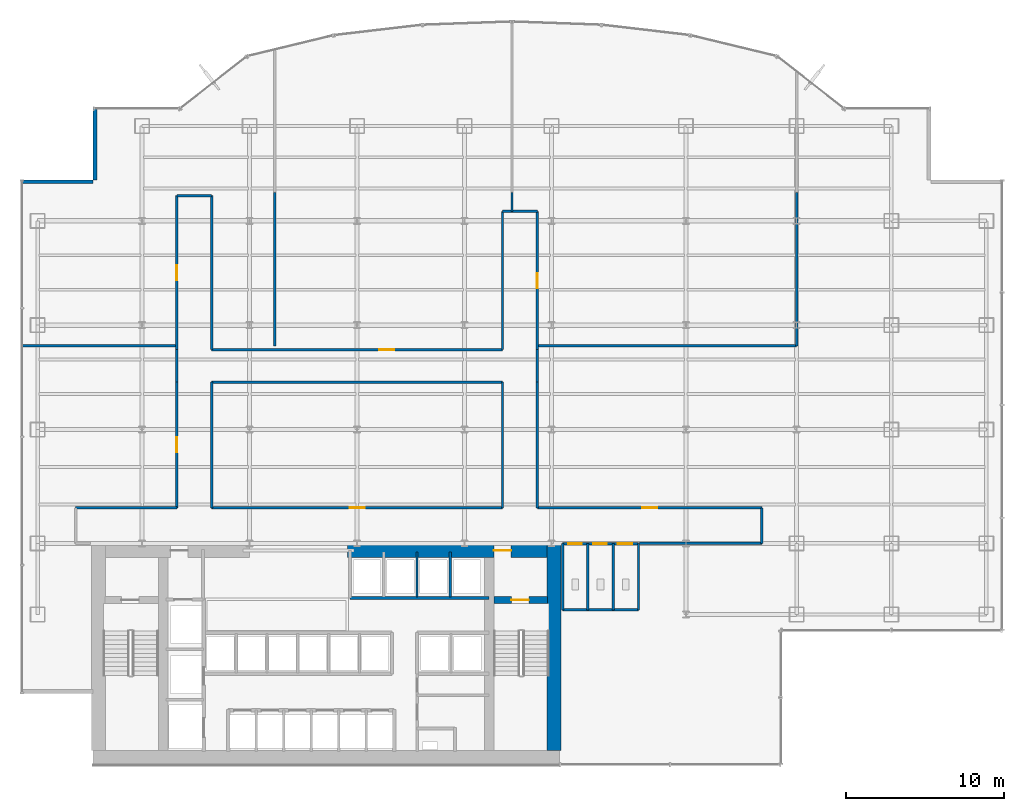
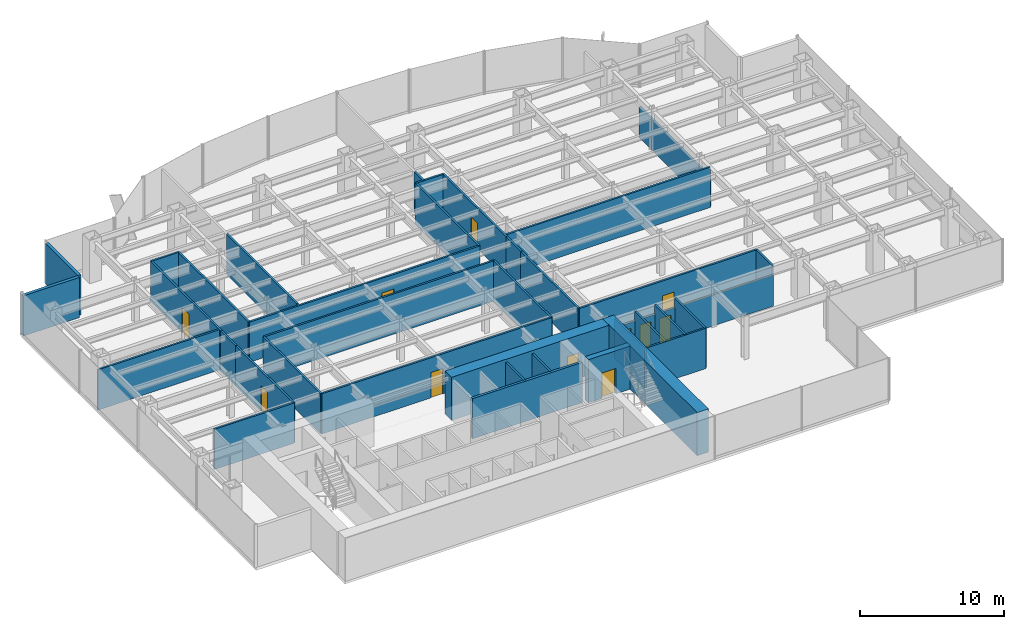
# One storey, part 19 of 23: 38 walls, 11 doors, 11 openings.
"""IFC4 building model written with IfcOpenShell, lengths in metres."""

from ifc_helpers import new_model, si_unit, derived_unit, direction, frame, frame_2d, origin, place, context, subcontext, project, spatial, rectangle, extrude, source, transform, mapped, material, layer, layer_set, type_object, element, fill, save


model = new_model("IFC4")

# Units and contexts
model_context = context("Model", 3, precision=1e-05, world=origin(), true_north=direction((0.0, 1.0)))
body_context = subcontext(model_context, "Body", "Model", "MODEL_VIEW")
ifc_project = project(units=[si_unit("LENGTHUNIT", "METRE"), si_unit("AREAUNIT", "SQUARE_METRE"), si_unit("VOLUMEUNIT", "CUBIC_METRE"), si_unit("PLANEANGLEUNIT", "RADIAN"), si_unit("MASSUNIT", "GRAM", prefix="KILO"), derived_unit("THERMALTRANSMITTANCEUNIT", [(si_unit("POWERUNIT", "WATT"), 1), (si_unit("LENGTHUNIT", "METRE"), -2), (si_unit("THERMODYNAMICTEMPERATUREUNIT", "KELVIN"), -1)])], contexts=[model_context])

# Site, building, storey
site_placement = place(None, origin())
site = spatial("IfcSite", under=ifc_project, at=site_placement, CompositionType="ELEMENT")
building_placement = place(site_placement, origin())
building = spatial("IfcBuilding", under=site, at=building_placement, Name="Skarnbrae Concourse Arena and Tower", CompositionType="ELEMENT")
storey_placement = place(building_placement, frame((0.0, 0.0, 43.449951171875)))
storey = spatial("IfcBuildingStorey", under=building, at=storey_placement, Name="L09", CompositionType="ELEMENT", Elevation=43.449951171875)

# Wall
ifc_material_1 = material(Name="Concrete 70 MPa (C70/85)", Category="concrete")
ifc_layer_1 = layer(ifc_material_1, 0.89990234375)
ifc_layer_set_1 = layer_set([ifc_layer_1], Name="Concrete 70 MPa (C70/85)")
wall_type_1 = type_object("IfcWallType", Name="WALL-CORE-900-C70", PredefinedType="SHEAR", material=ifc_layer_set_1)
shared_shape_1 = source(origin(), body_context, "Body", "SweptSolid", [
    extrude(rectangle(XDim=13.10009765625, YDim=0.89990234375, at=frame_2d((6.550048828125, 0.0))), origin(), (0.0, 0.0, 1.0), 3.650146484375),
])
wall_1_placement = place(storey_placement, frame((33.64990234375, 0.89990234375, 0.0), z_axis=(0.0, 0.0, 1.0), x_axis=(0.0, 1.0, 0.0)))
element("IfcWall", 1, at=wall_1_placement, inside=storey, type_object=wall_type_1, Name="L09 Rear core shear wall CW-E", PredefinedType="SHEAR", context=body_context, shape_type="MappedRepresentation", body=[
    mapped(shared_shape_1, transform((0.0, 0.0, 0.0))),
])

# Wall, opening, door
shared_shape_2 = source(origin(), body_context, "Body", "SweptSolid", [
    extrude(rectangle(XDim=12.599853515625, YDim=0.89990234375, at=frame_2d((6.2998046875, 0.0))), origin(), (0.0, 0.0, 1.0), 3.650146484375),
])
wall_2_placement = place(storey_placement, frame((20.60009765625, 13.550048828125, 0.0), z_axis=(0.0, 0.0, 1.0), x_axis=(1.0, 0.0, 0.0)))
wall_2 = element("IfcWall", 2, at=wall_2_placement, inside=storey, type_object=wall_type_1, Name="L09 Rear core shear wall CW-NE", PredefinedType="SHEAR", context=body_context, shape_type="MappedRepresentation", body=[
    mapped(shared_shape_2, transform((0.0, 0.0, 0.0))),
])
opening_1_placement = place(wall_2_placement, frame((9.25, 0.0, 0.0)))
opening_1 = element("IfcOpeningElement", 3, at=opening_1_placement, cuts=wall_2, Name="Opening DT-03", PredefinedType="OPENING", context=body_context, shape_type="SweptSolid", body=[
    extrude(rectangle(XDim=1.10009765625, YDim=2.14990234375, at=frame_2d((0.550048828125, 1.074951171875))), frame((0.0, 0.4599609375, 0.0), z_axis=(0.0, -1.0, 0.0), x_axis=(1.0, 0.0, 0.0)), (0.0, 0.0, 1.0), 0.919921875),
])
ifc_material_2 = material(Name="Steel CSA G40.21 350W", Category="steel")
door_type_1 = type_object("IfcDoorType", Name="DOOR-FIRE-1100-90M", OperationType="NOTDEFINED", PredefinedType="DOOR", material=ifc_material_2)
shared_shape_3 = source(origin(), body_context, "Body", "SweptSolid", [
    extrude(rectangle(XDim=1.10009765625, YDim=2.14990234375, at=frame_2d((0.550048828125, 1.074951171875))), frame((0.0, 0.02490234375, 0.0), z_axis=(0.0, -1.0, 0.0), x_axis=(1.0, 0.0, 0.0)), (0.0, 0.0, 1.0), 0.050048828125),
])
door_1_placement = place(opening_1_placement, origin())
door_1 = element("IfcDoor", 4, at=door_1_placement, inside=storey, type_object=door_type_1, Name="D-0416 Stair ST-2 Vestibule Door", OperationType="SINGLE_SWING_LEFT", OverallHeight=2.14990234375, OverallWidth=1.10009765625, PredefinedType="DOOR", context=body_context, shape_type="MappedRepresentation", body=[
    mapped(shared_shape_3, transform((0.0, 0.0, 0.0))),
])
fill(opening_1, door_1)

ifc_material_3 = material(Name="Concrete 50 MPa (C50/60)", Category="concrete")
ifc_layer_2 = layer(ifc_material_3, 0.449951171875)
ifc_layer_set_2 = layer_set([ifc_layer_2], Name="Concrete 50 MPa (C50/60)")
wall_type_2 = type_object("IfcWallType", Name="WALL-CORE-450-C50", PredefinedType="SHEAR", material=ifc_layer_set_2)
shared_shape_4 = source(origin(), body_context, "Body", "SweptSolid", [
    extrude(rectangle(XDim=3.389892578125, YDim=0.449951171875, at=frame_2d((1.69482421875, 0.0))), origin(), (0.0, 0.0, 1.0), 3.650146484375),
])
wall_3_placement = place(storey_placement, frame((29.860107421875, 10.419921875, 0.0), z_axis=(0.0, 0.0, 1.0), x_axis=(1.0, 0.0, 0.0)))
wall_3 = element("IfcWall", 5, at=wall_3_placement, inside=storey, type_object=wall_type_2, Name="L09 Rear core shear wall CW-ST2-N", PredefinedType="SHEAR", context=body_context, shape_type="MappedRepresentation", body=[
    mapped(shared_shape_4, transform((0.0, 0.0, 0.0))),
])
opening_2_placement = place(wall_3_placement, frame((1.10009765625, 0.0, 0.0)))
opening_2 = element("IfcOpeningElement", 6, at=opening_2_placement, cuts=wall_3, Name="Opening DT-03", PredefinedType="OPENING", context=body_context, shape_type="SweptSolid", body=[
    extrude(rectangle(XDim=1.10009765625, YDim=2.14990234375, at=frame_2d((0.550048828125, 1.074951171875))), frame((0.0, 0.23486328125, 0.0), z_axis=(0.0, -1.0, 0.0), x_axis=(1.0, 0.0, 0.0)), (0.0, 0.0, 1.0), 0.469970703125),
])
door_2_placement = place(opening_2_placement, frame((1.10009765625, 0.0, 0.0), z_axis=(0.0, 0.0, 1.0), x_axis=(-1.0, 0.0, 0.0)))
door_2 = element("IfcDoor", 7, at=door_2_placement, inside=storey, type_object=door_type_1, Name="D-0414 Stair ST-2 Door", OperationType="SINGLE_SWING_RIGHT", OverallHeight=2.14990234375, OverallWidth=1.10009765625, PredefinedType="DOOR", context=body_context, shape_type="MappedRepresentation", body=[
    mapped(shared_shape_3, transform((0.0, 0.0, 0.0))),
])
fill(opening_2, door_2)

# Walls
ifc_material_4 = material(Name="Precast concrete 40 MPa (C40/50)", Category="concrete")
ifc_layer_3 = layer(ifc_material_4, 0.25)
ifc_layer_set_3 = layer_set([ifc_layer_3], Name="Precast concrete 40 MPa (C40/50)")
wall_type_3 = type_object("IfcWallType", Name="WALL-EXT-SPANDREL-250", PredefinedType="STANDARD", material=ifc_layer_set_3)
shared_shape_5 = source(origin(), body_context, "Body", "SweptSolid", [
    extrude(rectangle(XDim=4.5, YDim=0.25, at=frame_2d((2.25, 0.0))), origin(), (0.0, 0.0, 1.0), 3.400146484375),
])
for number, where, z_axis, x_axis, name in (
    (8, (4.625, 41.5, 0.0), (0.0, 0.0, 1.0), (0.0, -1.0, 0.0), "L09 Notched corner insulated return wall 17"),
    (9, (4.5, 36.875, 0.0), (0.0, 0.0, 1.0), (-1.0, 0.0, 0.0), "L09 Notched corner insulated return wall 18"),
):
    element("IfcWall", number, at=place(storey_placement, frame(where, z_axis=z_axis, x_axis=x_axis)), inside=storey, type_object=wall_type_3, Name=name, PredefinedType="STANDARD", context=body_context, shape_type="MappedRepresentation", body=[
        mapped(shared_shape_5, transform((0.0, 0.0, 0.0))),
    ])

# Wall, openings, doors
ifc_material_5 = material(Name="Gypsum board on cold-formed steel studs", Category="steel")
ifc_layer_4 = layer(ifc_material_5, 0.14990234375)
ifc_layer_set_4 = layer_set([ifc_layer_4], Name="Gypsum board on cold-formed steel studs")
wall_type_4 = type_object("IfcWallType", Name="WALL-PART-150", PredefinedType="PARTITIONING", material=ifc_layer_set_4)
shared_shape_6 = source(origin(), body_context, "Body", "SweptSolid", [
    extrude(rectangle(XDim=4.800048828125, YDim=0.14990234375, at=frame_2d((2.39990234375, 0.0))), origin(), (0.0, 0.0, 1.0), 2.625),
])
wall_4_placement = place(storey_placement, frame((34.199951171875, 13.97998046875, 0.0), z_axis=(0.0, 0.0, 1.0), x_axis=(1.0, 0.0, 0.0)))
wall_4 = element("IfcWall", 10, at=wall_4_placement, inside=storey, type_object=wall_type_4, Name="L09 Interior partition wall W-L09-WC-N", PredefinedType="PARTITIONING", context=body_context, shape_type="MappedRepresentation", body=[
    mapped(shared_shape_6, transform((0.0, 0.0, 0.0))),
])
opening_3_placement = place(wall_4_placement, frame((0.35009765625, 0.0, 0.0)))
opening_3 = element("IfcOpeningElement", 11, at=opening_3_placement, cuts=wall_4, Name="Opening DT-06", PredefinedType="OPENING", context=body_context, shape_type="SweptSolid", body=[
    extrude(rectangle(XDim=0.85009765625, YDim=2.10009765625, at=frame_2d((0.425048828125, 1.050048828125))), frame((0.0, 0.0849609375, 0.0), z_axis=(0.0, -1.0, 0.0), x_axis=(1.0, 0.0, 0.0)), (0.0, 0.0, 1.0), 0.169921875),
])
opening_4_placement = place(wall_4_placement, frame((1.949951171875, 0.0, 0.0)))
opening_4 = element("IfcOpeningElement", 12, at=opening_4_placement, cuts=wall_4, Name="Opening DT-06", PredefinedType="OPENING", context=body_context, shape_type="SweptSolid", body=[
    extrude(rectangle(XDim=0.85009765625, YDim=2.10009765625, at=frame_2d((0.425048828125, 1.050048828125))), frame((0.0, 0.0849609375, 0.0), z_axis=(0.0, -1.0, 0.0), x_axis=(1.0, 0.0, 0.0)), (0.0, 0.0, 1.0), 0.169921875),
])
opening_5_placement = place(wall_4_placement, frame((3.5, 0.0, 0.0)))
opening_5 = element("IfcOpeningElement", 13, at=opening_5_placement, cuts=wall_4, Name="Opening DT-05", PredefinedType="OPENING", context=body_context, shape_type="SweptSolid", body=[
    extrude(rectangle(XDim=0.89990234375, YDim=2.10009765625, at=frame_2d((0.449951171875, 1.050048828125))), frame((0.0, 0.0849609375, 0.0), z_axis=(0.0, -1.0, 0.0), x_axis=(1.0, 0.0, 0.0)), (0.0, 0.0, 1.0), 0.169921875),
])
ifc_material_6 = material(Name="Architectural oak veneer timber leaf", Category="wood")
door_type_2 = type_object("IfcDoorType", Name="DOOR-INT-850", OperationType="NOTDEFINED", PredefinedType="DOOR", material=ifc_material_6)
shared_shape_7 = source(origin(), body_context, "Body", "SweptSolid", [
    extrude(rectangle(XDim=0.85009765625, YDim=2.10009765625, at=frame_2d((0.425048828125, 1.050048828125))), frame((0.0, 0.02490234375, 0.0), z_axis=(0.0, -1.0, 0.0), x_axis=(1.0, 0.0, 0.0)), (0.0, 0.0, 1.0), 0.050048828125),
])
door_3_placement = place(opening_3_placement, frame((0.85009765625, 0.0, 0.0), z_axis=(0.0, 0.0, 1.0), x_axis=(-1.0, 0.0, 0.0)))
door_3 = element("IfcDoor", 14, at=door_3_placement, inside=storey, type_object=door_type_2, Name="D-0428 Male Washroom Door", OperationType="SINGLE_SWING_LEFT", OverallHeight=2.10009765625, OverallWidth=0.85009765625, PredefinedType="DOOR", context=body_context, shape_type="MappedRepresentation", body=[
    mapped(shared_shape_7, transform((0.0, 0.0, 0.0))),
])
fill(opening_3, door_3)
door_4_placement = place(opening_4_placement, frame((0.85009765625, 0.0, 0.0), z_axis=(0.0, 0.0, 1.0), x_axis=(-1.0, 0.0, 0.0)))
door_4 = element("IfcDoor", 15, at=door_4_placement, inside=storey, type_object=door_type_2, Name="D-0429 Female Washroom Door", OperationType="SINGLE_SWING_RIGHT", OverallHeight=2.10009765625, OverallWidth=0.85009765625, PredefinedType="DOOR", context=body_context, shape_type="MappedRepresentation", body=[
    mapped(shared_shape_7, transform((0.0, 0.0, 0.0))),
])
fill(opening_4, door_4)
door_type_3 = type_object("IfcDoorType", Name="DOOR-INT-900", OperationType="NOTDEFINED", PredefinedType="DOOR", material=ifc_material_6)
shared_shape_8 = source(origin(), body_context, "Body", "SweptSolid", [
    extrude(rectangle(XDim=0.89990234375, YDim=2.10009765625, at=frame_2d((0.449951171875, 1.050048828125))), frame((0.0, 0.02490234375, 0.0), z_axis=(0.0, -1.0, 0.0), x_axis=(1.0, 0.0, 0.0)), (0.0, 0.0, 1.0), 0.050048828125),
])
door_5_placement = place(opening_5_placement, frame((0.89990234375, 0.0, 0.0), z_axis=(0.0, 0.0, 1.0), x_axis=(-1.0, 0.0, 0.0)))
door_5 = element("IfcDoor", 16, at=door_5_placement, inside=storey, type_object=door_type_3, Name="D-0430 Accessible WC Door", OperationType="SINGLE_SWING_LEFT", OverallHeight=2.10009765625, OverallWidth=0.89990234375, PredefinedType="DOOR", context=body_context, shape_type="MappedRepresentation", body=[
    mapped(shared_shape_8, transform((0.0, 0.0, 0.0))),
])
fill(opening_5, door_5)

# Walls
ifc_layer_5 = layer(ifc_material_5, 0.14990234375)
ifc_layer_set_5 = layer_set([ifc_layer_5], Name="Gypsum board on cold-formed steel studs")
wall_type_5 = type_object("IfcWallType", Name="WALL-PART-150-1HR", PredefinedType="PARTITIONING", material=ifc_layer_set_5)
shared_shape_9 = source(origin(), body_context, "Body", "SweptSolid", [
    extrude(rectangle(XDim=7.75, YDim=0.14990234375, at=frame_2d((3.875, 0.0))), origin(), (0.0, 0.0, 1.0), 2.625),
])
wall_5_placement = place(storey_placement, frame((46.800048828125, 14.0, 0.0), z_axis=(0.0, 0.0, 1.0), x_axis=(-1.0, 0.0, 0.0)))
element("IfcWall", 17, at=wall_5_placement, inside=storey, type_object=wall_type_5, Name="L09 Interior partition wall W-L09-COR-17", PredefinedType="PARTITIONING", context=body_context, shape_type="MappedRepresentation", body=[
    mapped(shared_shape_9, transform((0.0, 0.0, 0.0))),
])
ifc_layer_6 = layer(ifc_material_5, 0.199951171875)
ifc_layer_set_6 = layer_set([ifc_layer_6], Name="Gypsum board on cold-formed steel studs")
wall_type_6 = type_object("IfcWallType", Name="WALL-PART-200-2HR", PredefinedType="PARTITIONING", material=ifc_layer_set_6)
shared_shape_10 = source(origin(), body_context, "Body", "SweptSolid", [
    extrude(rectangle(XDim=8.800048828125, YDim=0.199951171875, at=frame_2d((4.39990234375, 0.0))), origin(), (0.0, 0.0, 1.0), 3.400146484375),
])
wall_6_placement = place(storey_placement, frame((20.75, 10.550048828125, 0.0), z_axis=(0.0, 0.0, 1.0), x_axis=(1.0, 0.0, 0.0)))
element("IfcWall", 18, at=wall_6_placement, inside=storey, type_object=wall_type_6, Name="L09 Interior partition wall W-L09-B3N-S", PredefinedType="PARTITIONING", context=body_context, shape_type="MappedRepresentation", body=[
    mapped(shared_shape_10, transform((0.0, 0.0, 0.0))),
])
shared_shape_11 = source(origin(), body_context, "Body", "SweptSolid", [
    extrude(rectangle(XDim=2.849853515625, YDim=0.14990234375, at=frame_2d((1.4248046875, 0.0))), origin(), (0.0, 0.0, 1.0), 3.400146484375),
])
for number, where, z_axis, x_axis, name in (
    (19, (24.989990234375, 10.60009765625, 0.0), (0.0, 0.0, 1.0), (0.0, 1.0, 0.0), "L09 Interior partition wall W-L09-B3N-P2"),
    (20, (27.090087890625, 10.60009765625, 0.0), (0.0, 0.0, 1.0), (0.0, 1.0, 0.0), "L09 Interior partition wall W-L09-B3N-P3"),
):
    element("IfcWall", number, at=place(storey_placement, frame(where, z_axis=z_axis, x_axis=x_axis)), inside=storey, type_object=wall_type_4, Name=name, PredefinedType="PARTITIONING", context=body_context, shape_type="MappedRepresentation", body=[
        mapped(shared_shape_11, transform((0.0, 0.0, 0.0))),
    ])
shared_shape_12 = source(origin(), body_context, "Body", "SweptSolid", [
    extrude(rectangle(XDim=4.800048828125, YDim=0.14990234375, at=frame_2d((2.39990234375, 0.0))), origin(), (0.0, 0.0, 1.0), 3.400146484375),
])
wall_7_placement = place(storey_placement, frame((34.199951171875, 9.800048828125, 0.0), z_axis=(0.0, 0.0, 1.0), x_axis=(1.0, 0.0, 0.0)))
element("IfcWall", 21, at=wall_7_placement, inside=storey, type_object=wall_type_4, Name="L09 Interior partition wall W-L09-WC-S", PredefinedType="PARTITIONING", context=body_context, shape_type="MappedRepresentation", body=[
    mapped(shared_shape_12, transform((0.0, 0.0, 0.0))),
])
shared_shape_13 = source(origin(), body_context, "Body", "SweptSolid", [
    extrude(rectangle(XDim=4.179931640625, YDim=0.14990234375, at=frame_2d((2.08984375, 0.0))), origin(), (0.0, 0.0, 1.0), 3.400146484375),
])
for number, where, z_axis, x_axis, name in (
    (22, (39.0, 9.800048828125, 0.0), (0.0, 0.0, 1.0), (0.0, 1.0, 0.0), "L09 Interior partition wall W-L09-WC-E"),
    (23, (34.199951171875, 9.800048828125, 0.0), (0.0, 0.0, 1.0), (0.0, 1.0, 0.0), "L09 Interior partition wall W-L09-WC-W"),
    (24, (35.800048828125, 9.800048828125, 0.0), (0.0, 0.0, 1.0), (0.0, 1.0, 0.0), "L09 Interior partition wall W-L09-WC-D1"),
    (25, (37.39990234375, 9.800048828125, 0.0), (0.0, 0.0, 1.0), (0.0, 1.0, 0.0), "L09 Interior partition wall W-L09-WC-D2"),
):
    element("IfcWall", number, at=place(storey_placement, frame(where, z_axis=z_axis, x_axis=x_axis)), inside=storey, type_object=wall_type_4, Name=name, PredefinedType="PARTITIONING", context=body_context, shape_type="MappedRepresentation", body=[
        mapped(shared_shape_13, transform((0.0, 0.0, 0.0))),
    ])
shared_shape_14 = source(origin(), body_context, "Body", "SweptSolid", [
    extrude(rectangle(XDim=2.25, YDim=0.14990234375, at=frame_2d((1.125, 0.0))), origin(), (0.0, 0.0, 1.0), 3.400146484375),
])
wall_8_placement = place(storey_placement, frame((46.800048828125, 16.25, 0.0), z_axis=(0.0, 0.0, 1.0), x_axis=(0.0, -1.0, 0.0)))
element("IfcWall", 26, at=wall_8_placement, inside=storey, type_object=wall_type_5, Name="L09 Interior partition wall W-L09-COR-16", PredefinedType="PARTITIONING", context=body_context, shape_type="MappedRepresentation", body=[
    mapped(shared_shape_14, transform((0.0, 0.0, 0.0))),
])
shared_shape_15 = source(origin(), body_context, "Body", "SweptSolid", [
    extrude(rectangle(XDim=6.400146484375, YDim=0.14990234375, at=frame_2d((3.2001953125, 0.0))), origin(), (0.0, 0.0, 1.0), 3.400146484375),
])
wall_9_placement = place(storey_placement, frame((3.39990234375, 16.25, 0.0), z_axis=(0.0, 0.0, 1.0), x_axis=(1.0, 0.0, 0.0)))
element("IfcWall", 27, at=wall_9_placement, inside=storey, type_object=wall_type_5, Name="L09 Interior partition wall W-L09-COR-03", PredefinedType="PARTITIONING", context=body_context, shape_type="MappedRepresentation", body=[
    mapped(shared_shape_15, transform((0.0, 0.0, 0.0))),
])
shared_shape_16 = source(origin(), body_context, "Body", "SweptSolid", [
    extrude(rectangle(XDim=2.050048828125, YDim=0.14990234375, at=frame_2d((1.02490234375, 0.0))), origin(), (0.0, 0.0, 1.0), 3.400146484375),
])
for number, where, z_axis, x_axis, name in (
    (28, (9.800048828125, 24.199951171875, 0.0), (0.0, 0.0, 1.0), (0.0, 1.0, 0.0), "L09 Interior partition wall W-L09-COR-05"),
    (29, (32.60009765625, 26.25, 0.0), (0.0, 0.0, 1.0), (0.0, -1.0, 0.0), "L09 Interior partition wall W-L09-COR-13"),
):
    element("IfcWall", number, at=place(storey_placement, frame(where, z_axis=z_axis, x_axis=x_axis)), inside=storey, type_object=wall_type_5, Name=name, PredefinedType="PARTITIONING", context=body_context, shape_type="MappedRepresentation", body=[
        mapped(shared_shape_16, transform((0.0, 0.0, 0.0))),
    ])
shared_shape_17 = source(origin(), body_context, "Body", "SweptSolid", [
    extrude(rectangle(XDim=2.199951171875, YDim=0.14990234375, at=frame_2d((1.10009765625, 0.0))), origin(), (0.0, 0.0, 1.0), 3.400146484375),
])
wall_10_placement = place(storey_placement, frame((9.800048828125, 36.0, 0.0), z_axis=(0.0, 0.0, 1.0), x_axis=(1.0, 0.0, 0.0)))
element("IfcWall", 30, at=wall_10_placement, inside=storey, type_object=wall_type_5, Name="L09 Interior partition wall W-L09-COR-07", PredefinedType="PARTITIONING", context=body_context, shape_type="MappedRepresentation", body=[
    mapped(shared_shape_17, transform((0.0, 0.0, 0.0))),
])
shared_shape_18 = source(origin(), body_context, "Body", "SweptSolid", [
    extrude(rectangle(XDim=9.780029296875, YDim=0.14990234375, at=frame_2d((4.89013671875, 0.0))), origin(), (0.0, 0.0, 1.0), 3.400146484375),
])
wall_11_placement = place(storey_placement, frame((0.02001953125, 26.5, 0.0), z_axis=(0.0, 0.0, 1.0), x_axis=(1.0, 0.0, 0.0)))
element("IfcWall", 31, at=wall_11_placement, inside=storey, type_object=wall_type_4, Name="L09 Interior partition wall W-L09-DEM-22", PredefinedType="PARTITIONING", context=body_context, shape_type="MappedRepresentation", body=[
    mapped(shared_shape_18, transform((0.0, 0.0, 0.0))),
])

# Wall, opening, door
shared_shape_19 = source(origin(), body_context, "Body", "SweptSolid", [
    extrude(rectangle(XDim=7.949951171875, YDim=0.14990234375, at=frame_2d((3.97509765625, 0.0))), origin(), (0.0, 0.0, 1.0), 3.400146484375),
])
wall_12_placement = place(storey_placement, frame((9.800048828125, 16.25, 0.0), z_axis=(0.0, 0.0, 1.0), x_axis=(0.0, 1.0, 0.0)))
wall_12 = element("IfcWall", 32, at=wall_12_placement, inside=storey, type_object=wall_type_5, Name="L09 Interior partition wall W-L09-COR-04", PredefinedType="PARTITIONING", context=body_context, shape_type="MappedRepresentation", body=[
    mapped(shared_shape_19, transform((0.0, 0.0, 0.0))),
])
opening_6_placement = place(wall_12_placement, frame((3.5, 0.0, 0.0)))
opening_6 = element("IfcOpeningElement", 33, at=opening_6_placement, cuts=wall_12, Name="Opening DT-04", PredefinedType="OPENING", context=body_context, shape_type="SweptSolid", body=[
    extrude(rectangle(XDim=0.949951171875, YDim=2.14990234375, at=frame_2d((0.47509765625, 1.074951171875))), frame((0.0, 0.0849609375, 0.0), z_axis=(0.0, -1.0, 0.0), x_axis=(1.0, 0.0, 0.0)), (0.0, 0.0, 1.0), 0.169921875),
])
door_type_4 = type_object("IfcDoorType", Name="DOOR-INT-950-45M", OperationType="NOTDEFINED", PredefinedType="DOOR", material=ifc_material_2)
shared_shape_20 = source(origin(), body_context, "Body", "SweptSolid", [
    extrude(rectangle(XDim=0.949951171875, YDim=2.14990234375, at=frame_2d((0.47509765625, 1.074951171875))), frame((0.0, 0.02490234375, 0.0), z_axis=(0.0, -1.0, 0.0), x_axis=(1.0, 0.0, 0.0)), (0.0, 0.0, 1.0), 0.050048828125),
])
door_6_placement = place(opening_6_placement, origin())
door_6 = element("IfcDoor", 34, at=door_6_placement, inside=storey, type_object=door_type_4, Name="D-0431 L09 Suite Door 01", OperationType="SINGLE_SWING_LEFT", OverallHeight=2.14990234375, OverallWidth=0.949951171875, PredefinedType="DOOR", context=body_context, shape_type="MappedRepresentation", body=[
    mapped(shared_shape_20, transform((0.0, 0.0, 0.0))),
])
fill(opening_6, door_6)

# Walls
for number, where, z_axis, x_axis, name in (
    (35, (32.60009765625, 24.199951171875, 0.0), (0.0, 0.0, 1.0), (0.0, -1.0, 0.0), "L09 Interior partition wall W-L09-COR-14"),
    (36, (30.39990234375, 16.25, 0.0), (0.0, 0.0, 1.0), (0.0, 1.0, 0.0), "L09 Interior partition wall W-L09-COR-19"),
    (37, (12.0, 24.199951171875, 0.0), (0.0, 0.0, 1.0), (0.0, -1.0, 0.0), "L09 Interior partition wall W-L09-COR-21"),
):
    element("IfcWall", number, at=place(storey_placement, frame(where, z_axis=z_axis, x_axis=x_axis)), inside=storey, type_object=wall_type_5, Name=name, PredefinedType="PARTITIONING", context=body_context, shape_type="MappedRepresentation", body=[
        mapped(shared_shape_19, transform((0.0, 0.0, 0.0))),
    ])

# Wall, opening, door
shared_shape_21 = source(origin(), body_context, "Body", "SweptSolid", [
    extrude(rectangle(XDim=9.75, YDim=0.14990234375, at=frame_2d((4.875, 0.0))), origin(), (0.0, 0.0, 1.0), 3.400146484375),
])
wall_13_placement = place(storey_placement, frame((9.800048828125, 26.25, 0.0), z_axis=(0.0, 0.0, 1.0), x_axis=(0.0, 1.0, 0.0)))
wall_13 = element("IfcWall", 38, at=wall_13_placement, inside=storey, type_object=wall_type_5, Name="L09 Interior partition wall W-L09-COR-06", PredefinedType="PARTITIONING", context=body_context, shape_type="MappedRepresentation", body=[
    mapped(shared_shape_21, transform((0.0, 0.0, 0.0))),
])
opening_7_placement = place(wall_13_placement, frame((4.39990234375, 0.0, 0.0)))
opening_7 = element("IfcOpeningElement", 39, at=opening_7_placement, cuts=wall_13, Name="Opening DT-04", PredefinedType="OPENING", context=body_context, shape_type="SweptSolid", body=[
    extrude(rectangle(XDim=0.949951171875, YDim=2.14990234375, at=frame_2d((0.47509765625, 1.074951171875))), frame((0.0, 0.0849609375, 0.0), z_axis=(0.0, -1.0, 0.0), x_axis=(1.0, 0.0, 0.0)), (0.0, 0.0, 1.0), 0.169921875),
])
door_7_placement = place(opening_7_placement, origin())
door_7 = element("IfcDoor", 40, at=door_7_placement, inside=storey, type_object=door_type_4, Name="D-0432 L09 Suite Door 02", OperationType="SINGLE_SWING_RIGHT", OverallHeight=2.14990234375, OverallWidth=0.949951171875, PredefinedType="DOOR", context=body_context, shape_type="MappedRepresentation", body=[
    mapped(shared_shape_20, transform((0.0, 0.0, 0.0))),
])
fill(opening_7, door_7)

# Wall
wall_14_placement = place(storey_placement, frame((12.0, 36.0, 0.0), z_axis=(0.0, 0.0, 1.0), x_axis=(0.0, -1.0, 0.0)))
element("IfcWall", 41, at=wall_14_placement, inside=storey, type_object=wall_type_5, Name="L09 Interior partition wall W-L09-COR-08", PredefinedType="PARTITIONING", context=body_context, shape_type="MappedRepresentation", body=[
    mapped(shared_shape_21, transform((0.0, 0.0, 0.0))),
])

# Wall, opening, door
shared_shape_22 = source(origin(), body_context, "Body", "SweptSolid", [
    extrude(rectangle(XDim=18.39990234375, YDim=0.14990234375, at=frame_2d((9.199951171875, 0.0))), origin(), (0.0, 0.0, 1.0), 3.400146484375),
])
wall_15_placement = place(storey_placement, frame((12.0, 26.25, 0.0), z_axis=(0.0, 0.0, 1.0), x_axis=(1.0, 0.0, 0.0)))
wall_15 = element("IfcWall", 42, at=wall_15_placement, inside=storey, type_object=wall_type_5, Name="L09 Interior partition wall W-L09-COR-09", PredefinedType="PARTITIONING", context=body_context, shape_type="MappedRepresentation", body=[
    mapped(shared_shape_22, transform((0.0, 0.0, 0.0))),
])
opening_8_placement = place(wall_15_placement, frame((10.594970703125, 0.0, 0.0)))
opening_8 = element("IfcOpeningElement", 43, at=opening_8_placement, cuts=wall_15, Name="Opening DT-04", PredefinedType="OPENING", context=body_context, shape_type="SweptSolid", body=[
    extrude(rectangle(XDim=0.949951171875, YDim=2.14990234375, at=frame_2d((0.47509765625, 1.074951171875))), frame((0.0, 0.0849609375, 0.0), z_axis=(0.0, -1.0, 0.0), x_axis=(1.0, 0.0, 0.0)), (0.0, 0.0, 1.0), 0.169921875),
])
door_8_placement = place(opening_8_placement, origin())
door_8 = element("IfcDoor", 44, at=door_8_placement, inside=storey, type_object=door_type_4, Name="D-0434 L09 Suite Door 04", OperationType="SINGLE_SWING_RIGHT", OverallHeight=2.14990234375, OverallWidth=0.949951171875, PredefinedType="DOOR", context=body_context, shape_type="MappedRepresentation", body=[
    mapped(shared_shape_20, transform((0.0, 0.0, 0.0))),
])
fill(opening_8, door_8)

wall_16_placement = place(storey_placement, frame((12.0, 16.25, 0.0), z_axis=(0.0, 0.0, 1.0), x_axis=(1.0, 0.0, 0.0)))
wall_16 = element("IfcWall", 45, at=wall_16_placement, inside=storey, type_object=wall_type_5, Name="L09 Interior partition wall W-L09-COR-18", PredefinedType="PARTITIONING", context=body_context, shape_type="MappedRepresentation", body=[
    mapped(shared_shape_22, transform((0.0, 0.0, 0.0))),
])
opening_9_placement = place(wall_16_placement, frame((8.72509765625, 0.0, 0.0)))
opening_9 = element("IfcOpeningElement", 46, at=opening_9_placement, cuts=wall_16, Name="Opening DT-04", PredefinedType="OPENING", context=body_context, shape_type="SweptSolid", body=[
    extrude(rectangle(XDim=0.949951171875, YDim=2.14990234375, at=frame_2d((0.47509765625, 1.074951171875))), frame((0.0, 0.0849609375, 0.0), z_axis=(0.0, -1.0, 0.0), x_axis=(1.0, 0.0, 0.0)), (0.0, 0.0, 1.0), 0.169921875),
])
door_9_placement = place(opening_9_placement, origin())
door_9 = element("IfcDoor", 47, at=door_9_placement, inside=storey, type_object=door_type_4, Name="D-0433 L09 Suite Door 03", OperationType="SINGLE_SWING_LEFT", OverallHeight=2.14990234375, OverallWidth=0.949951171875, PredefinedType="DOOR", context=body_context, shape_type="MappedRepresentation", body=[
    mapped(shared_shape_20, transform((0.0, 0.0, 0.0))),
])
fill(opening_9, door_9)

# Walls
wall_17_placement = place(storey_placement, frame((30.39990234375, 24.199951171875, 0.0), z_axis=(0.0, 0.0, 1.0), x_axis=(-1.0, 0.0, 0.0)))
element("IfcWall", 48, at=wall_17_placement, inside=storey, type_object=wall_type_5, Name="L09 Interior partition wall W-L09-COR-20", PredefinedType="PARTITIONING", context=body_context, shape_type="MappedRepresentation", body=[
    mapped(shared_shape_22, transform((0.0, 0.0, 0.0))),
])
shared_shape_23 = source(origin(), body_context, "Body", "SweptSolid", [
    extrude(rectangle(XDim=8.75, YDim=0.14990234375, at=frame_2d((4.375, 0.0))), origin(), (0.0, 0.0, 1.0), 3.400146484375),
])
wall_18_placement = place(storey_placement, frame((30.39990234375, 26.25, 0.0), z_axis=(0.0, 0.0, 1.0), x_axis=(0.0, 1.0, 0.0)))
element("IfcWall", 49, at=wall_18_placement, inside=storey, type_object=wall_type_5, Name="L09 Interior partition wall W-L09-COR-10", PredefinedType="PARTITIONING", context=body_context, shape_type="MappedRepresentation", body=[
    mapped(shared_shape_23, transform((0.0, 0.0, 0.0))),
])

# Wall, opening, door
wall_19_placement = place(storey_placement, frame((32.60009765625, 35.0, 0.0), z_axis=(0.0, 0.0, 1.0), x_axis=(0.0, -1.0, 0.0)))
wall_19 = element("IfcWall", 50, at=wall_19_placement, inside=storey, type_object=wall_type_5, Name="L09 Interior partition wall W-L09-COR-12", PredefinedType="PARTITIONING", context=body_context, shape_type="MappedRepresentation", body=[
    mapped(shared_shape_23, transform((0.0, 0.0, 0.0))),
])
opening_10_placement = place(wall_19_placement, frame((3.89990234375, 0.0, 0.0)))
opening_10 = element("IfcOpeningElement", 51, at=opening_10_placement, cuts=wall_19, Name="Opening DT-04", PredefinedType="OPENING", context=body_context, shape_type="SweptSolid", body=[
    extrude(rectangle(XDim=0.949951171875, YDim=2.14990234375, at=frame_2d((0.47509765625, 1.074951171875))), frame((0.0, 0.0849609375, 0.0), z_axis=(0.0, -1.0, 0.0), x_axis=(1.0, 0.0, 0.0)), (0.0, 0.0, 1.0), 0.169921875),
])
door_10_placement = place(opening_10_placement, origin())
door_10 = element("IfcDoor", 52, at=door_10_placement, inside=storey, type_object=door_type_4, Name="D-0435 L09 Suite Door 05", OperationType="SINGLE_SWING_LEFT", OverallHeight=2.14990234375, OverallWidth=0.949951171875, PredefinedType="DOOR", context=body_context, shape_type="MappedRepresentation", body=[
    mapped(shared_shape_20, transform((0.0, 0.0, 0.0))),
])
fill(opening_10, door_10)

# Wall
shared_shape_24 = source(origin(), body_context, "Body", "SweptSolid", [
    extrude(rectangle(XDim=2.2001953125, YDim=0.14990234375, at=frame_2d((1.10009765625, 0.0))), origin(), (0.0, 0.0, 1.0), 3.400146484375),
])
wall_20_placement = place(storey_placement, frame((30.39990234375, 35.0, 0.0), z_axis=(0.0, 0.0, 1.0), x_axis=(1.0, 0.0, 0.0)))
element("IfcWall", 53, at=wall_20_placement, inside=storey, type_object=wall_type_5, Name="L09 Interior partition wall W-L09-COR-11", PredefinedType="PARTITIONING", context=body_context, shape_type="MappedRepresentation", body=[
    mapped(shared_shape_24, transform((0.0, 0.0, 0.0))),
])

# Wall, opening, door
shared_shape_25 = source(origin(), body_context, "Body", "SweptSolid", [
    extrude(rectangle(XDim=14.199951171875, YDim=0.14990234375, at=frame_2d((7.10009765625, 0.0))), origin(), (0.0, 0.0, 1.0), 3.400146484375),
])
wall_21_placement = place(storey_placement, frame((32.60009765625, 16.25, 0.0), z_axis=(0.0, 0.0, 1.0), x_axis=(1.0, 0.0, 0.0)))
wall_21 = element("IfcWall", 54, at=wall_21_placement, inside=storey, type_object=wall_type_5, Name="L09 Interior partition wall W-L09-COR-15", PredefinedType="PARTITIONING", context=body_context, shape_type="MappedRepresentation", body=[
    mapped(shared_shape_25, transform((0.0, 0.0, 0.0))),
])
opening_11_placement = place(wall_21_placement, frame((6.625, 0.0, 0.0)))
opening_11 = element("IfcOpeningElement", 55, at=opening_11_placement, cuts=wall_21, Name="Opening DT-04", PredefinedType="OPENING", context=body_context, shape_type="SweptSolid", body=[
    extrude(rectangle(XDim=0.949951171875, YDim=2.14990234375, at=frame_2d((0.47509765625, 1.074951171875))), frame((0.0, 0.0849609375, 0.0), z_axis=(0.0, -1.0, 0.0), x_axis=(1.0, 0.0, 0.0)), (0.0, 0.0, 1.0), 0.169921875),
])
door_11_placement = place(opening_11_placement, origin())
door_11 = element("IfcDoor", 56, at=door_11_placement, inside=storey, type_object=door_type_4, Name="D-0436 L09 Suite Door 06", OperationType="SINGLE_SWING_RIGHT", OverallHeight=2.14990234375, OverallWidth=0.949951171875, PredefinedType="DOOR", context=body_context, shape_type="MappedRepresentation", body=[
    mapped(shared_shape_20, transform((0.0, 0.0, 0.0))),
])
fill(opening_11, door_11)

# Walls
shared_shape_26 = source(origin(), body_context, "Body", "SweptSolid", [
    extrude(rectangle(XDim=9.699951171875, YDim=0.14990234375, at=frame_2d((4.85009765625, 0.0))), origin(), (0.0, 0.0, 1.0), 3.400146484375),
])
wall_22_placement = place(storey_placement, frame((16.0, 36.199951171875, 0.0), z_axis=(0.0, 0.0, 1.0), x_axis=(0.0, -1.0, 0.0)))
element("IfcWall", 57, at=wall_22_placement, inside=storey, type_object=wall_type_4, Name="L09 Interior partition wall W-L09-DEM-24", PredefinedType="PARTITIONING", context=body_context, shape_type="MappedRepresentation", body=[
    mapped(shared_shape_26, transform((0.0, 0.0, 0.0))),
])
shared_shape_27 = source(origin(), body_context, "Body", "SweptSolid", [
    extrude(rectangle(XDim=1.199951171875, YDim=0.14990234375, at=frame_2d((0.60009765625, 0.0))), origin(), (0.0, 0.0, 1.0), 3.400146484375),
])
wall_23_placement = place(storey_placement, frame((31.0, 36.199951171875, 0.0), z_axis=(0.0, 0.0, 1.0), x_axis=(0.0, -1.0, 0.0)))
element("IfcWall", 58, at=wall_23_placement, inside=storey, type_object=wall_type_4, Name="L09 Interior partition wall W-L09-DEM-26", PredefinedType="PARTITIONING", context=body_context, shape_type="MappedRepresentation", body=[
    mapped(shared_shape_27, transform((0.0, 0.0, 0.0))),
])
shared_shape_28 = source(origin(), body_context, "Body", "SweptSolid", [
    extrude(rectangle(XDim=9.699951171875, YDim=0.14990234375, at=frame_2d((4.85009765625, 0.0))), origin(), (0.0, 0.0, 1.0), 2.625),
])
wall_24_placement = place(storey_placement, frame((49.0, 36.199951171875, 0.0), z_axis=(0.0, 0.0, 1.0), x_axis=(0.0, -1.0, 0.0)))
element("IfcWall", 59, at=wall_24_placement, inside=storey, type_object=wall_type_4, Name="L09 Interior partition wall W-L09-DEM-28", PredefinedType="PARTITIONING", context=body_context, shape_type="MappedRepresentation", body=[
    mapped(shared_shape_28, transform((0.0, 0.0, 0.0))),
])
shared_shape_29 = source(origin(), body_context, "Body", "SweptSolid", [
    extrude(rectangle(XDim=16.39990234375, YDim=0.14990234375, at=frame_2d((8.199951171875, 0.0))), origin(), (0.0, 0.0, 1.0), 3.400146484375),
])
wall_25_placement = place(storey_placement, frame((49.0, 26.5, 0.0), z_axis=(0.0, 0.0, 1.0), x_axis=(-1.0, 0.0, 0.0)))
element("IfcWall", 60, at=wall_25_placement, inside=storey, type_object=wall_type_4, Name="L09 Interior partition wall W-L09-DEM-29", PredefinedType="PARTITIONING", context=body_context, shape_type="MappedRepresentation", body=[
    mapped(shared_shape_29, transform((0.0, 0.0, 0.0))),
])

save(model, "model.ifc")
